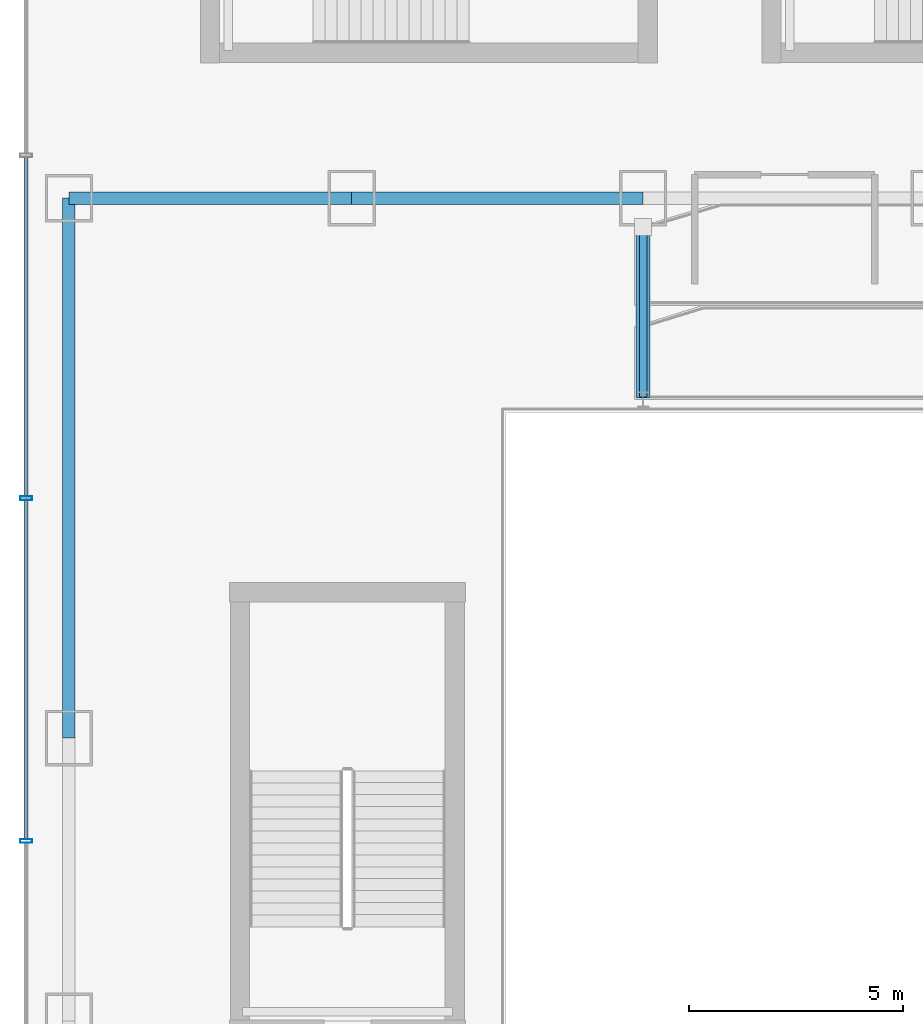
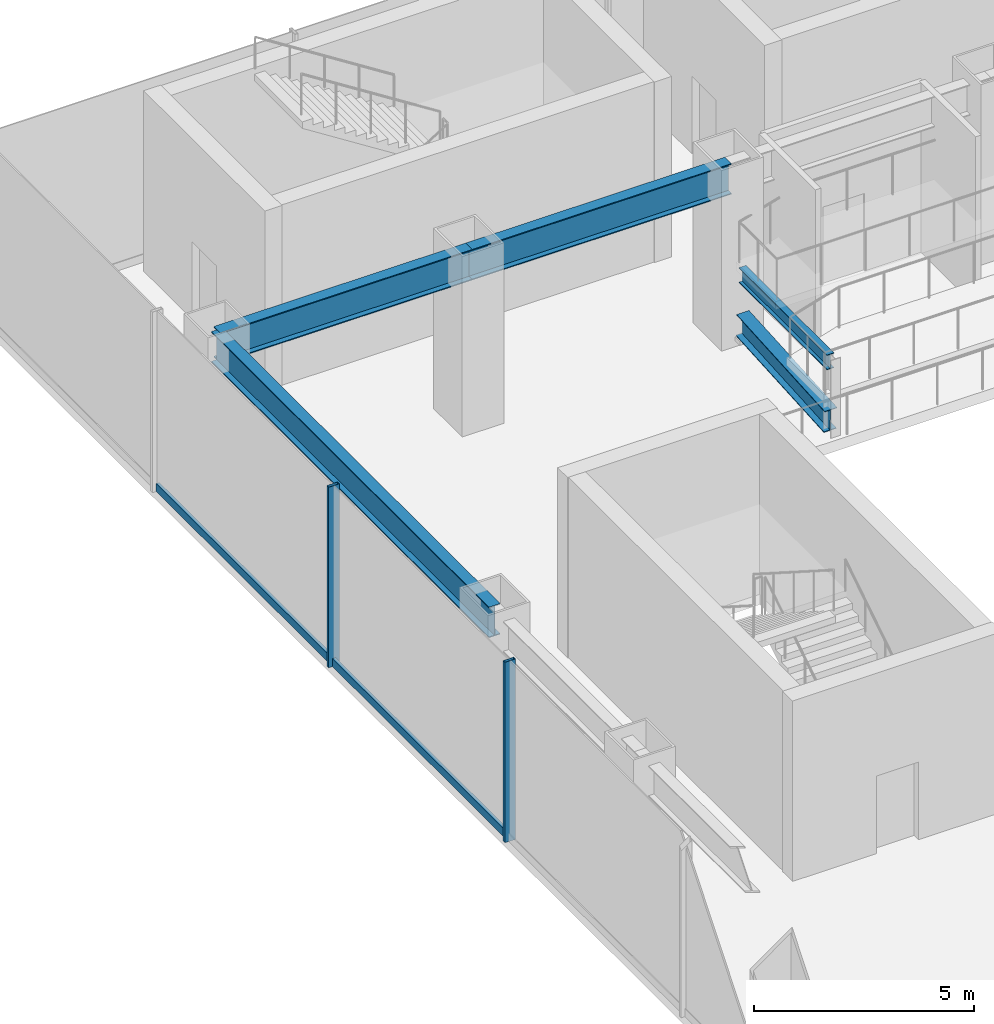
# One storey, part 12 of 39: 5 beams, 4 members, 1 element without a shape of its own.
"""IFC4 building model written with IfcOpenShell, lengths in metres."""

from ifc_helpers import new_model, si_unit, derived_unit, direction, frame, origin, origin_2d, place, context, subcontext, project, spatial, hollow_rectangle, i_section, extrude, source, transform, mapped, material, material_profile, profile_set, type_object, element, aggregate, save


model = new_model("IFC4")

# Units and contexts
model_context = context("Model", 3, precision=1e-05, world=origin(), true_north=direction((0.0, 1.0)))
body_context = subcontext(model_context, "Body", "Model", "MODEL_VIEW")
ifc_project = project(units=[si_unit("LENGTHUNIT", "METRE"), si_unit("AREAUNIT", "SQUARE_METRE"), si_unit("VOLUMEUNIT", "CUBIC_METRE"), si_unit("PLANEANGLEUNIT", "RADIAN"), si_unit("MASSUNIT", "GRAM", prefix="KILO"), derived_unit("THERMALTRANSMITTANCEUNIT", [(si_unit("POWERUNIT", "WATT"), 1), (si_unit("LENGTHUNIT", "METRE"), -2), (si_unit("THERMODYNAMICTEMPERATUREUNIT", "KELVIN"), -1)])], contexts=[model_context])

# Site, building, storey
site_placement = place(None, origin())
site = spatial("IfcSite", under=ifc_project, at=site_placement, CompositionType="ELEMENT")
building_placement = place(site_placement, origin())
building = spatial("IfcBuilding", under=site, at=building_placement, Name="Skarnbrae Concourse Arena and Tower", CompositionType="ELEMENT")
storey_placement = place(building_placement, frame((0.0, 0.0, 16.0)))
storey = spatial("IfcBuildingStorey", under=building, at=storey_placement, Name="L03", CompositionType="ELEMENT", Elevation=16.0)

# Beams
ifc_material_1 = material(Name="Steel CSA G40.21 350W", Category="steel")
ifc_material_profile_1 = material_profile(ifc_material_1, i_section(OverallWidth=0.2939453125, OverallDepth=0.85107421875, WebThickness=0.01611328125, FlangeThickness=0.02685546875, at=origin_2d()), Name="W840X226")
ifc_profile_set_1 = profile_set([ifc_material_profile_1], Name="Steel CSA G40.21 350W")
beam_type_1 = type_object("IfcBeamType", Name="BM-GIRD-W840X226", PredefinedType="BEAM", material=ifc_profile_set_1)
shared_shape_1 = source(origin(), body_context, "Body", "SweptSolid", [
    extrude(i_section(OverallWidth=0.2939453125, OverallDepth=0.85107421875, WebThickness=0.01611328125, FlangeThickness=0.02685546875, at=origin_2d()), origin(), (0.0, 0.0, 1.0), 6.60009765625),
])
beam_1_placement = place(storey_placement, frame((1.0, 47.0, 4.2744140625), z_axis=(1.0, 0.0, 0.0), x_axis=(0.0, 1.0, 0.0)))
element("IfcBeam", 1, at=beam_1_placement, inside=storey, type_object=beam_type_1, Name="L03 Podium north girder 1", PredefinedType="BEAM", context=body_context, shape_type="MappedRepresentation", body=[
    mapped(shared_shape_1, transform((0.0, 0.0, 0.0))),
])
shared_shape_2 = source(origin(), body_context, "Body", "SweptSolid", [
    extrude(i_section(OverallWidth=0.2939453125, OverallDepth=0.85107421875, WebThickness=0.01611328125, FlangeThickness=0.02685546875, at=origin_2d()), origin(), (0.0, 0.0, 1.0), 6.7998046875),
])
beam_2_placement = place(storey_placement, frame((7.60009765625, 47.0, 4.2744140625), z_axis=(1.0, 0.0, 0.0), x_axis=(0.0, 1.0, 0.0)))
element("IfcBeam", 2, at=beam_2_placement, inside=storey, type_object=beam_type_1, Name="L03 Podium north girder 2", PredefinedType="BEAM", context=body_context, shape_type="MappedRepresentation", body=[
    mapped(shared_shape_2, transform((0.0, 0.0, 0.0))),
])
shared_shape_3 = source(origin(), body_context, "Body", "SweptSolid", [
    extrude(i_section(OverallWidth=0.2939453125, OverallDepth=0.85107421875, WebThickness=0.01611328125, FlangeThickness=0.02685546875, at=origin_2d()), origin(), (0.0, 0.0, 1.0), 12.60009765625),
])
beam_3_placement = place(storey_placement, frame((1.0, 34.39990234375, 4.2744140625), z_axis=(0.0, 1.0, 0.0), x_axis=(-1.0, 0.0, 0.0)))
element("IfcBeam", 3, at=beam_3_placement, inside=storey, type_object=beam_type_1, Name="L03 Podium west girder 5", PredefinedType="BEAM", context=body_context, shape_type="MappedRepresentation", body=[
    mapped(shared_shape_3, transform((0.0, 0.0, 0.0))),
])
ifc_material_profile_2 = material_profile(ifc_material_1, i_section(OverallWidth=0.180908203125, OverallDepth=0.4169921875, WebThickness=0.010986328125, FlangeThickness=0.018310546875, at=origin_2d()), Name="W410X85")
ifc_profile_set_2 = profile_set([ifc_material_profile_2], Name="Steel CSA G40.21 350W")
beam_type_2 = type_object("IfcBeamType", Name="BM-JOIST-W410X85", PredefinedType="JOIST", material=ifc_profile_set_2)
shared_shape_4 = source(origin(), body_context, "Body", "SweptSolid", [
    extrude(i_section(OverallWidth=0.180908203125, OverallDepth=0.4169921875, WebThickness=0.010986328125, FlangeThickness=0.018310546875, at=origin_2d()), origin(), (0.0, 0.0, 1.0), 4.0),
])
beam_4_placement = place(storey_placement, frame((14.39990234375, 42.360107421875, 1.94140625), z_axis=(0.0, 1.0, 0.0), x_axis=(-1.0, 0.0, 0.0)))
element("IfcBeam", 4, at=beam_4_placement, inside=storey, type_object=beam_type_2, Name="L03 Arena upper seating tier cradle beam N01", PredefinedType="JOIST", context=body_context, shape_type="MappedRepresentation", body=[
    mapped(shared_shape_4, transform((0.0, 0.0, 0.0))),
])
ifc_material_profile_3 = material_profile(ifc_material_1, i_section(OverallWidth=0.323974609375, OverallDepth=0.611083984375, WebThickness=0.0126953125, FlangeThickness=0.01904296875, at=origin_2d()), Name="W610X155")
ifc_profile_set_3 = profile_set([ifc_material_profile_3], Name="Steel CSA G40.21 350W")
beam_type_3 = type_object("IfcBeamType", Name="BM-RAKER-W610X155", PredefinedType="USERDEFINED", material=ifc_profile_set_3)
shared_shape_5 = source(origin(), body_context, "Body", "SweptSolid", [
    extrude(i_section(OverallWidth=0.323974609375, OverallDepth=0.611083984375, WebThickness=0.0126953125, FlangeThickness=0.01904296875, at=origin_2d()), origin(), (0.0, 0.0, 1.0), 4.008544921875),
])
beam_5_placement = place(storey_placement, frame((14.39990234375, 42.360107421875, 0.320068359375), z_axis=(0.0, 0.997894012809, 0.064865547097), x_axis=(-1.0, 0.0, 0.0)))
element("IfcBeam", 5, at=beam_5_placement, inside=storey, type_object=beam_type_3, Name="L03 Arena bowl sloped raker beam RB-N01", ObjectType="RAKER", PredefinedType="USERDEFINED", context=body_context, shape_type="MappedRepresentation", body=[
    mapped(shared_shape_5, transform((0.0, 0.0, 0.0))),
])

# Curtain wall, members
ifc_material_2 = material(Name="Bronze anodised aluminium 6063-T6", Category="aluminium")
curtain_wall_type = type_object("IfcCurtainWallType", Name="CW-SYS-01-PODIUM", PredefinedType="USERDEFINED", material=ifc_material_2)
curtain_wall_placement = place(storey_placement, origin())
curtain_wall = element("IfcCurtainWall", 6, at=curtain_wall_placement, inside=storey, type_object=curtain_wall_type, Name="L03 Unitised curtain wall CW-L03-W", ObjectType="UNITISED CURTAIN WALL", PredefinedType="USERDEFINED")
ifc_material_profile_4 = material_profile(ifc_material_2, hollow_rectangle(XDim=0.0849609375, YDim=0.280029296875, WallThickness=0.006103515625, at=origin_2d()), Name="ALU-MULL-85X280")
ifc_profile_set_4 = profile_set([ifc_material_profile_4], Name="Bronze anodised aluminium 6063-T6")
member_type_1 = type_object("IfcMemberType", Name="CWM-CW-01", PredefinedType="MULLION", material=ifc_profile_set_4)
shared_shape_6 = source(origin(), body_context, "Body", "SweptSolid", [
    extrude(hollow_rectangle(XDim=0.0849609375, YDim=0.280029296875, WallThickness=0.006103515625, at=origin_2d()), origin(), (0.0, 0.0, 1.0), 5.0),
])
member_1_placement = place(storey_placement, frame((0.0, 40.0, 0.0), z_axis=(0.0, 0.0, 1.0), x_axis=(0.0, -1.0, 0.0)))
member_1 = element("IfcMember", 7, at=member_1_placement, type_object=member_type_1, Name="CW-L03-W Mullion 3", PredefinedType="MULLION", context=body_context, shape_type="MappedRepresentation", body=[
    mapped(shared_shape_6, transform((0.0, 0.0, 0.0))),
])
member_2_placement = place(storey_placement, frame((0.0, 32.0, 0.0), z_axis=(0.0, 0.0, 1.0), x_axis=(0.0, -1.0, 0.0)))
member_2 = element("IfcMember", 8, at=member_2_placement, type_object=member_type_1, Name="CW-L03-W Mullion 4", PredefinedType="MULLION", context=body_context, shape_type="MappedRepresentation", body=[
    mapped(shared_shape_6, transform((0.0, 0.0, 0.0))),
])
ifc_material_profile_5 = material_profile(ifc_material_2, hollow_rectangle(XDim=0.0849609375, YDim=0.219970703125, WallThickness=0.006103515625, at=origin_2d()), Name="ALU-TRAN-85X220")
ifc_profile_set_5 = profile_set([ifc_material_profile_5], Name="Bronze anodised aluminium 6063-T6")
member_type_2 = type_object("IfcMemberType", Name="CWT-CW-01", PredefinedType="USERDEFINED", material=ifc_profile_set_5)
shared_shape_7 = source(origin(), body_context, "Body", "SweptSolid", [
    extrude(hollow_rectangle(XDim=0.0849609375, YDim=0.219970703125, WallThickness=0.006103515625, at=origin_2d()), origin(), (0.0, 0.0, 1.0), 7.9150390625),
])
member_3_placement = place(storey_placement, frame((0.0, 47.95751953125, 0.110107421875), z_axis=(0.0, -1.0, 0.0), x_axis=(1.0, 0.0, 0.0)))
member_3 = element("IfcMember", 9, at=member_3_placement, type_object=member_type_2, Name="CW-L03-W Transom 2", ObjectType="TRANSOM", PredefinedType="USERDEFINED", context=body_context, shape_type="MappedRepresentation", body=[
    mapped(shared_shape_7, transform((0.0, 0.0, 0.0))),
])
member_4_placement = place(storey_placement, frame((0.0, 39.95751953125, 0.110107421875), z_axis=(0.0, -1.0, 0.0), x_axis=(1.0, 0.0, 0.0)))
member_4 = element("IfcMember", 10, at=member_4_placement, type_object=member_type_2, Name="CW-L03-W Transom 3", ObjectType="TRANSOM", PredefinedType="USERDEFINED", context=body_context, shape_type="MappedRepresentation", body=[
    mapped(shared_shape_7, transform((0.0, 0.0, 0.0))),
])
aggregate(curtain_wall, [member_1, member_2, member_3, member_4])

save(model, "model.ifc")
